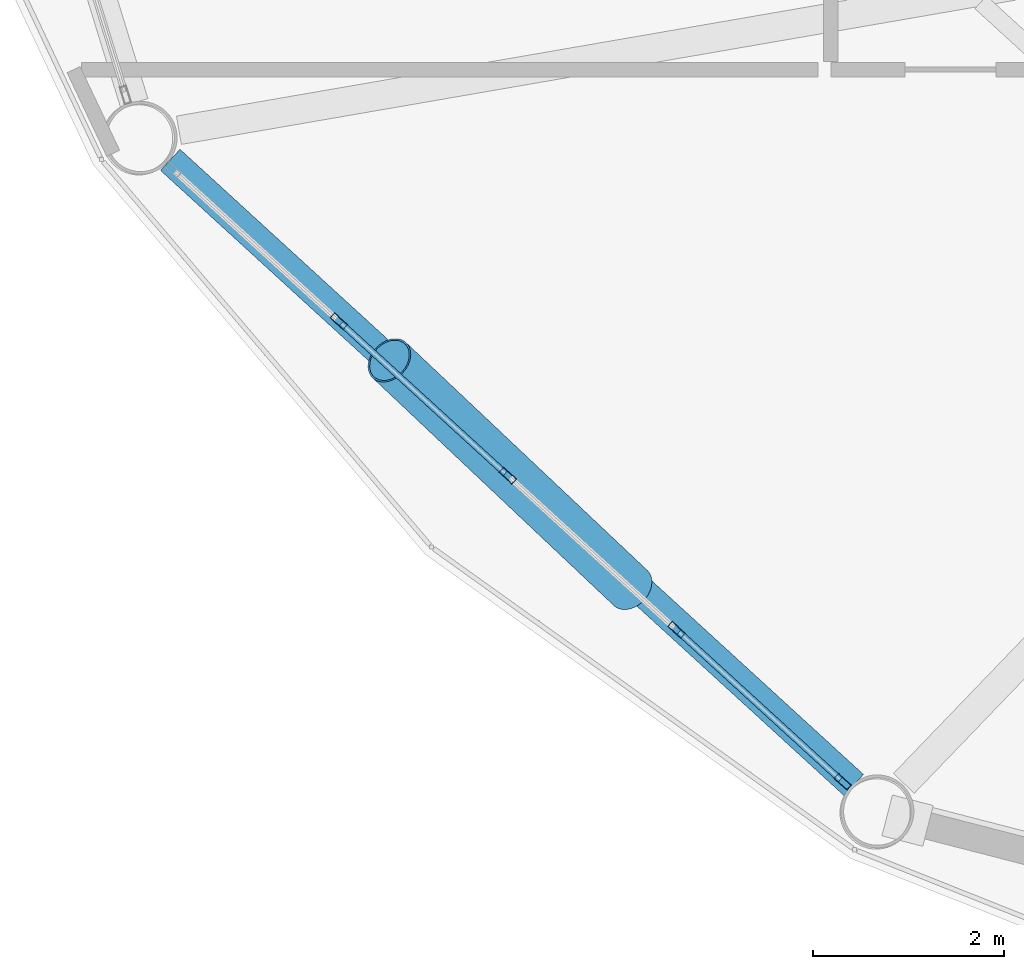
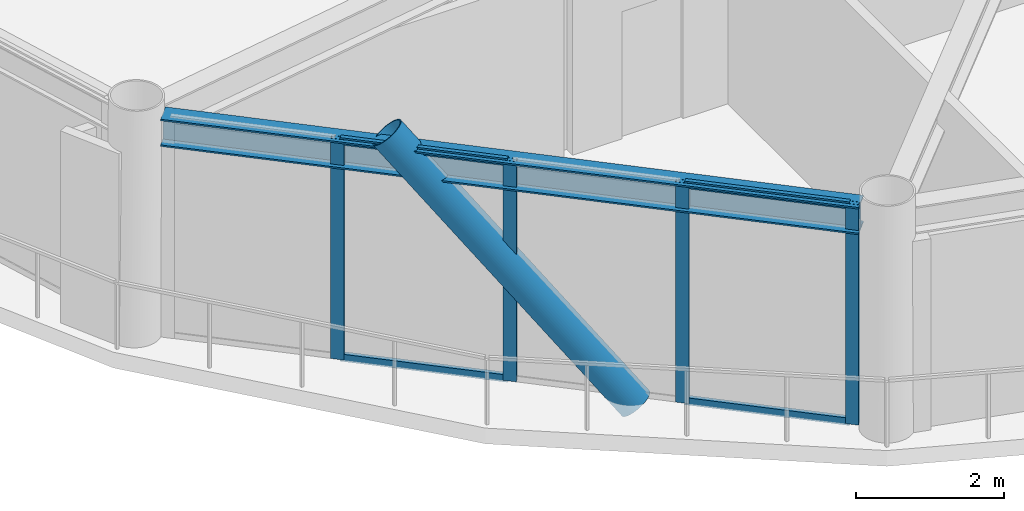
# One storey, part 2 of 25: 9 members, 1 beam, 1 element without a shape of its own.
"""IFC4 building model written with IfcOpenShell, lengths in metres."""

from ifc_helpers import new_model, si_unit, direction, frame, origin, origin_2d, place, context, subcontext, project, spatial, hollow_rectangle, hollow_circle, i_section, extrude, material, layer, layer_set, material_profile, profile_set, type_object, element, aggregate, save


model = new_model("IFC4")

# Units and contexts
model_context = context("Model", 3, precision=1e-05, world=origin(), true_north=direction((0.0, 1.0)))
body_context = subcontext(model_context, "Body", "Model", "MODEL_VIEW")
ifc_project = project(units=[si_unit("LENGTHUNIT", "METRE"), si_unit("AREAUNIT", "SQUARE_METRE"), si_unit("VOLUMEUNIT", "CUBIC_METRE"), si_unit("PLANEANGLEUNIT", "RADIAN"), si_unit("MASSUNIT", "GRAM", prefix="KILO")], contexts=[model_context])

# Site, building, storey
site_placement = place(None, origin())
site = spatial("IfcSite", under=ifc_project, at=site_placement, CompositionType="ELEMENT")
building_placement = place(site_placement, origin())
building = spatial("IfcBuilding", under=site, at=building_placement, Name="Varnakorn Sky Granary", CompositionType="ELEMENT")
storey_placement = place(building_placement, frame((0.0, 0.0, 126.60009765625)))
storey = spatial("IfcBuildingStorey", under=building, at=storey_placement, Name="L31", CompositionType="ELEMENT", Elevation=126.60009765625)

# Beam
ifc_material_1 = material(Name="Steel S355JR", Category="steel")
ifc_material_profile_1 = material_profile(ifc_material_1, i_section(OverallWidth=0.300048828125, OverallDepth=0.449951171875, WebThickness=0.013916015625, FlangeThickness=0.02587890625, at=origin_2d()), Name="HE 450 B")
ifc_profile_set_1 = profile_set([ifc_material_profile_1], Name="Steel S355JR")
beam_type = type_object("IfcBeamType", Name="BM-SPD-Z3", PredefinedType="SPANDREL", material=ifc_profile_set_1)
beam_placement = place(storey_placement, frame((-19.40087890625, -9.842529296875, 3.414794921875), z_axis=(0.737906735451, -0.674902696524, 0.0), x_axis=(0.674902696524, 0.737906735451, 0.0)))
element("IfcBeam", 1, at=beam_placement, inside=storey, type_object=beam_type, Name="Perimeter Spandrel Ring Beam RB08 L31", PredefinedType="SPANDREL", context=body_context, shape_type="SweptSolid", body=[
    extrude(i_section(OverallWidth=0.300048828125, OverallDepth=0.449951171875, WebThickness=0.013916015625, FlangeThickness=0.02587890625, at=origin_2d()), origin(), (0.0, 0.0, 1.0), 9.67578125),
])

# Curtain wall, members
ifc_material_2 = material(Name="Anodised Bronze Aluminium Alloy 6063-T6", Category="aluminium")
ifc_layer = layer(ifc_material_2, 0.179931640625, Name="Anodised Bronze Aluminium Alloy 6063-T6")
ifc_layer_set = layer_set([ifc_layer], Name="Anodised Bronze Aluminium Alloy 6063-T6")
curtain_wall_type = type_object("IfcCurtainWallType", Name="CW-FRM-2", PredefinedType="USERDEFINED", material=ifc_layer_set)
curtain_wall_placement = place(storey_placement, origin())
curtain_wall = element("IfcCurtainWall", 2, at=curtain_wall_placement, inside=storey, type_object=curtain_wall_type, Name="Unitised Curtain Wall CW4 CW-L31-B08", ObjectType="CURTAIN WALL", PredefinedType="USERDEFINED")
ifc_material_profile_2 = material_profile(ifc_material_2, hollow_rectangle(XDim=0.070068359375, YDim=0.18505859375, WallThickness=0.00390625, at=origin_2d()), Name="ALU MULL 70x185")
ifc_profile_set_2 = profile_set([ifc_material_profile_2], Name="Anodised Bronze Aluminium Alloy 6063-T6")
member_type_1 = type_object("IfcMemberType", Name="CW-FRM-2-MULL", PredefinedType="MULLION", material=ifc_profile_set_2)
member_1_placement = place(storey_placement, frame((-12.375244140625, -16.34033203125, 0.0), z_axis=(0.0, 0.0, 1.0), x_axis=(-0.674680923597, -0.738109511749, 0.0)))
member_1 = element("IfcMember", 3, at=member_1_placement, type_object=member_type_1, Name="CW4 mullion 1", PredefinedType="MULLION", context=body_context, shape_type="SweptSolid", body=[
    extrude(hollow_rectangle(XDim=0.070068359375, YDim=0.18505859375, WallThickness=0.00390625, at=origin_2d()), origin(), (0.0, 0.0, 1.0), 3.639892578125),
])
member_2_placement = place(storey_placement, frame((-14.11279296875, -14.752197265625, 0.0), z_axis=(0.0, 0.0, 1.0), x_axis=(-0.674680923597, -0.738109511749, 0.0)))
member_2 = element("IfcMember", 4, at=member_2_placement, type_object=member_type_1, Name="CW4 mullion 2", PredefinedType="MULLION", context=body_context, shape_type="SweptSolid", body=[
    extrude(hollow_rectangle(XDim=0.070068359375, YDim=0.18505859375, WallThickness=0.00390625, at=origin_2d()), origin(), (0.0, 0.0, 1.0), 3.639892578125),
])
member_3_placement = place(storey_placement, frame((-15.8759765625, -13.140380859375, 0.0), z_axis=(0.0, 0.0, 1.0), x_axis=(-0.674680923597, -0.738109511749, 0.0)))
member_3 = element("IfcMember", 5, at=member_3_placement, type_object=member_type_1, Name="CW4 mullion 3", PredefinedType="MULLION", context=body_context, shape_type="SweptSolid", body=[
    extrude(hollow_rectangle(XDim=0.070068359375, YDim=0.18505859375, WallThickness=0.00390625, at=origin_2d()), origin(), (0.0, 0.0, 1.0), 3.639892578125),
])
member_4_placement = place(storey_placement, frame((-17.639404296875, -11.52880859375, 0.0), z_axis=(0.0, 0.0, 1.0), x_axis=(-0.674680923597, -0.738109511749, 0.0)))
member_4 = element("IfcMember", 6, at=member_4_placement, type_object=member_type_1, Name="CW4 mullion 4", PredefinedType="MULLION", context=body_context, shape_type="SweptSolid", body=[
    extrude(hollow_rectangle(XDim=0.070068359375, YDim=0.18505859375, WallThickness=0.00390625, at=origin_2d()), origin(), (0.0, 0.0, 1.0), 3.639892578125),
])
ifc_material_profile_3 = material_profile(ifc_material_2, hollow_rectangle(XDim=0.06494140625, YDim=0.1201171875, WallThickness=0.00341796875, at=origin_2d()), Name="ALU TRAN 65x120")
ifc_profile_set_3 = profile_set([ifc_material_profile_3], Name="Anodised Bronze Aluminium Alloy 6063-T6")
member_type_2 = type_object("IfcMemberType", Name="CW-FRM-2-TRAN", PredefinedType="USERDEFINED", material=ifc_profile_set_3)
member_5_placement = place(storey_placement, frame((-12.401123046875, -16.316650390625, 0.032470703125), z_axis=(-0.738142878572, 0.674644418055, 0.0), x_axis=(-0.674644418055, -0.738142878572, 0.0)))
member_5 = element("IfcMember", 7, at=member_5_placement, type_object=member_type_2, Name="CW4 transom 1.1", ObjectType="TRANSOM", PredefinedType="USERDEFINED", context=body_context, shape_type="SweptSolid", body=[
    extrude(hollow_rectangle(XDim=0.06494140625, YDim=0.1201171875, WallThickness=0.00341796875, at=origin_2d()), origin(), (0.0, 0.0, 1.0), 2.283935546875),
])
member_6_placement = place(storey_placement, frame((-12.401123046875, -16.316650390625, 3.607421875), z_axis=(-0.738142878572, 0.674644418055, 0.0), x_axis=(-0.674644418055, -0.738142878572, 0.0)))
member_6 = element("IfcMember", 8, at=member_6_placement, type_object=member_type_2, Name="CW4 transom 1.2", ObjectType="TRANSOM", PredefinedType="USERDEFINED", context=body_context, shape_type="SweptSolid", body=[
    extrude(hollow_rectangle(XDim=0.06494140625, YDim=0.1201171875, WallThickness=0.00341796875, at=origin_2d()), origin(), (0.0, 0.0, 1.0), 2.283935546875),
])
member_7_placement = place(storey_placement, frame((-15.90185546875, -13.116943359375, 0.032470703125), z_axis=(-0.73808423228, 0.674708578617, 0.0), x_axis=(-0.674708578617, -0.73808423228, 0.0)))
member_7 = element("IfcMember", 9, at=member_7_placement, type_object=member_type_2, Name="CW4 transom 3.1", ObjectType="TRANSOM", PredefinedType="USERDEFINED", context=body_context, shape_type="SweptSolid", body=[
    extrude(hollow_rectangle(XDim=0.06494140625, YDim=0.1201171875, WallThickness=0.00341796875, at=origin_2d()), origin(), (0.0, 0.0, 1.0), 2.319091796875),
])
member_8_placement = place(storey_placement, frame((-15.90185546875, -13.116943359375, 3.607421875), z_axis=(-0.73808423228, 0.674708578617, 0.0), x_axis=(-0.674708578617, -0.73808423228, 0.0)))
member_8 = element("IfcMember", 10, at=member_8_placement, type_object=member_type_2, Name="CW4 transom 3.2", ObjectType="TRANSOM", PredefinedType="USERDEFINED", context=body_context, shape_type="SweptSolid", body=[
    extrude(hollow_rectangle(XDim=0.06494140625, YDim=0.1201171875, WallThickness=0.00341796875, at=origin_2d()), origin(), (0.0, 0.0, 1.0), 2.319091796875),
])
aggregate(curtain_wall, [member_1, member_2, member_3, member_4, member_5, member_6, member_7, member_8])

# Member
ifc_material_3 = material(Name="Steel S460M", Category="steel")
ifc_material_profile_4 = material_profile(ifc_material_3, hollow_circle(Radius=0.25390625, WallThickness=0.01806640625, at=origin_2d()), Name="CHS 508x18")
ifc_profile_set_4 = profile_set([ifc_material_profile_4], Name="Steel S460M")
member_type_3 = type_object("IfcMemberType", Name="MB-DIAG-T2", PredefinedType="BRACE", material=ifc_profile_set_4)
member_9_placement = place(storey_placement, frame((-14.592041015625, -14.314208984375, -0.130126953125), z_axis=(-0.481532824977, 0.454462064243, 0.749393335061), x_axis=(-0.68636889604, -0.727253558636, 0.0)))
element("IfcMember", 11, at=member_9_placement, inside=storey, type_object=member_type_3, Name="Perimeter CHS Diagrid Brace DG08 L31", PredefinedType="BRACE", context=body_context, shape_type="SweptSolid", body=[
    extrude(hollow_circle(Radius=0.25390625, WallThickness=0.01806640625, at=origin_2d()), origin(), (0.0, 0.0, 1.0), 5.230712890625),
])

save(model, "model.ifc")
